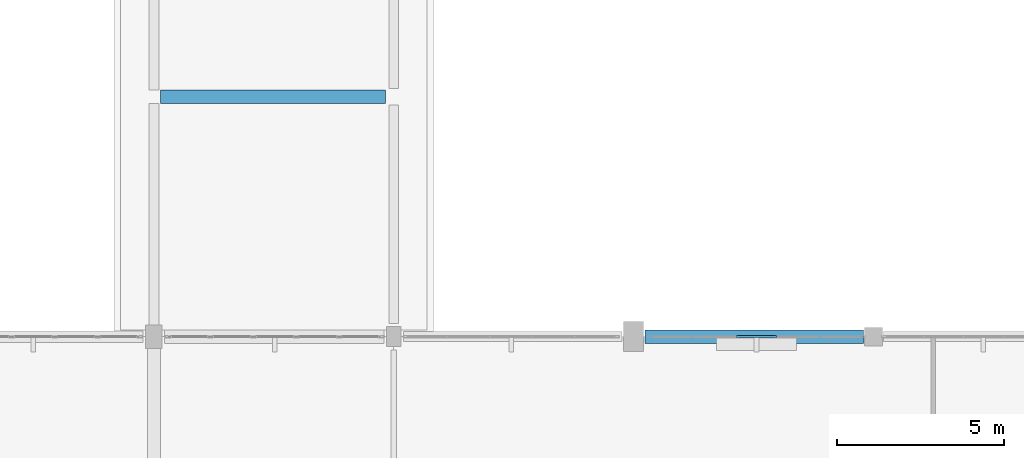
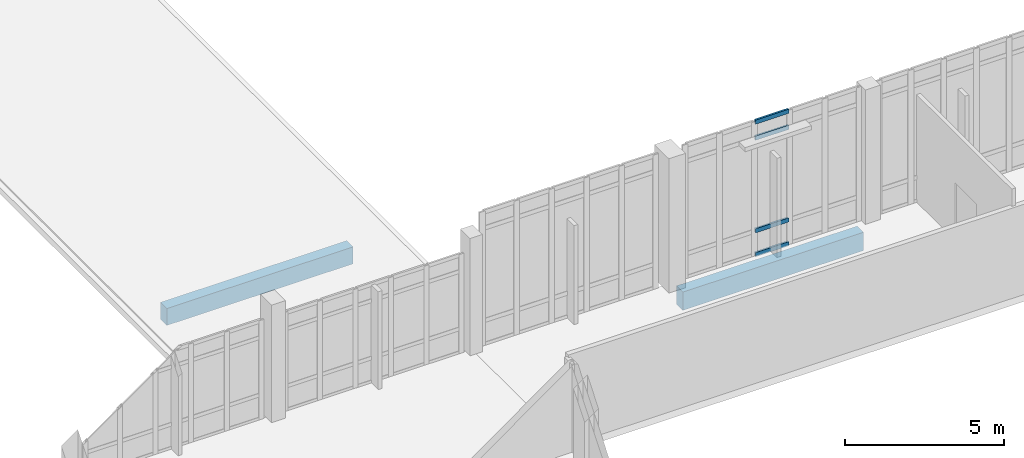
# One storey, part 43 of 134: 4 members, 2 beams, 1 element without a shape of its own.
"""IFC4 building model written with IfcOpenShell, lengths in metres."""

from ifc_helpers import new_model, si_unit, direction, frame, origin, origin_2d, place, context, subcontext, project, spatial, rectangle, hollow_rectangle, extrude, material, material_profile, profile_set, type_object, element, aggregate, save


model = new_model("IFC4")

# Units and contexts
model_context = context("Model", 3, precision=1e-05, world=origin(), true_north=direction((0.0, 1.0)))
body_context = subcontext(model_context, "Body", "Model", "MODEL_VIEW")
ifc_project = project(units=[si_unit("LENGTHUNIT", "METRE"), si_unit("AREAUNIT", "SQUARE_METRE"), si_unit("VOLUMEUNIT", "CUBIC_METRE"), si_unit("PLANEANGLEUNIT", "RADIAN"), si_unit("MASSUNIT", "GRAM", prefix="KILO")], contexts=[model_context])

# Site, building, storey
site_placement = place(None, origin())
site = spatial("IfcSite", under=ifc_project, at=site_placement, CompositionType="ELEMENT")
building_placement = place(site_placement, origin())
building = spatial("IfcBuilding", under=site, at=building_placement, Name="Kalluvel Institute of Natural Sciences", CompositionType="ELEMENT")
storey_placement = place(building_placement, frame((0.0, 0.0, 5.39990234375)))
storey = spatial("IfcBuildingStorey", under=building, at=storey_placement, Name="L01", CompositionType="ELEMENT", Elevation=5.39990234375)

# Beam
ifc_material_1 = material(Name="Concrete M40", Category="concrete")
ifc_material_profile_1 = material_profile(ifc_material_1, rectangle(XDim=0.39990234375, YDim=0.64990234375, at=origin_2d()), Name="RCB 400x650")
ifc_profile_set_1 = profile_set([ifc_material_profile_1], Name="Concrete M40")
beam_type_1 = type_object("IfcBeamType", Name="BM-RC400x650", PredefinedType="BEAM", material=ifc_profile_set_1)
beam_1_placement = place(storey_placement, frame((107.800048828125, 42.800048828125, -0.56494140625), z_axis=(1.0, 0.0, 0.0), x_axis=(0.0, 1.0, 0.0)))
element("IfcBeam", 1, at=beam_1_placement, inside=storey, type_object=beam_type_1, Name="L01 girder GIR-L01-EW-X1076-Y428", PredefinedType="BEAM", context=body_context, shape_type="SweptSolid", body=[
    extrude(rectangle(XDim=0.39990234375, YDim=0.64990234375, at=origin_2d()), origin(), (0.0, 0.0, 1.0), 6.75),
])

# Curtain wall, members
ifc_material_2 = material(Name="Aluminium AW-6063 T6", Category="aluminium")
curtain_wall_type = type_object("IfcCurtainWallType", Name="CW-SPAV-45", PredefinedType="USERDEFINED", material=ifc_material_2)
curtain_wall_placement = place(storey_placement, origin())
curtain_wall = element("IfcCurtainWall", 2, at=curtain_wall_placement, inside=storey, type_object=curtain_wall_type, Name="L01 Gothic lancet curtain wall CWA-L01-X1225-Y356", ObjectType="UNITISED LANCET FACADE", PredefinedType="USERDEFINED")
ifc_material_profile_2 = material_profile(ifc_material_2, hollow_rectangle(XDim=0.070068359375, YDim=0.159912109375, WallThickness=0.0048828125, at=origin_2d()), Name="CWT 70x160")
ifc_profile_set_2 = profile_set([ifc_material_profile_2], Name="Aluminium AW-6063 T6")
member_type = type_object("IfcMemberType", Name="CWT-70x160", PredefinedType="USERDEFINED", material=ifc_profile_set_2)
member_1_placement = place(storey_placement, frame((125.0849609375, 35.60009765625, 0.03515625), z_axis=(1.0, 0.0, 0.0), x_axis=(0.0, 1.0, 0.0)))
member_1 = element("IfcMember", 3, at=member_1_placement, type_object=member_type, Name="CW-10 transom 3.1", ObjectType="TRANSOM", PredefinedType="USERDEFINED", context=body_context, shape_type="SweptSolid", body=[
    extrude(hollow_rectangle(XDim=0.070068359375, YDim=0.159912109375, WallThickness=0.0048828125, at=origin_2d()), origin(), (0.0, 0.0, 1.0), 1.205078125),
])
member_2_placement = place(storey_placement, frame((125.0849609375, 35.60009765625, 0.9501953125), z_axis=(1.0, 0.0, 0.0), x_axis=(0.0, 1.0, 0.0)))
member_2 = element("IfcMember", 4, at=member_2_placement, type_object=member_type, Name="CW-10 transom 3.2", ObjectType="TRANSOM", PredefinedType="USERDEFINED", context=body_context, shape_type="SweptSolid", body=[
    extrude(hollow_rectangle(XDim=0.070068359375, YDim=0.159912109375, WallThickness=0.0048828125, at=origin_2d()), origin(), (0.0, 0.0, 1.0), 1.205078125),
])
member_3_placement = place(storey_placement, frame((125.0849609375, 35.60009765625, 4.5), z_axis=(1.0, 0.0, 0.0), x_axis=(0.0, 1.0, 0.0)))
member_3 = element("IfcMember", 5, at=member_3_placement, type_object=member_type, Name="CW-10 transom 3.3", ObjectType="TRANSOM", PredefinedType="USERDEFINED", context=body_context, shape_type="SweptSolid", body=[
    extrude(hollow_rectangle(XDim=0.070068359375, YDim=0.159912109375, WallThickness=0.0048828125, at=origin_2d()), origin(), (0.0, 0.0, 1.0), 1.205078125),
])
member_4_placement = place(storey_placement, frame((125.0849609375, 35.60009765625, 5.114990234375), z_axis=(1.0, 0.0, 0.0), x_axis=(0.0, 1.0, 0.0)))
member_4 = element("IfcMember", 6, at=member_4_placement, type_object=member_type, Name="CW-10 transom 3.4", ObjectType="TRANSOM", PredefinedType="USERDEFINED", context=body_context, shape_type="SweptSolid", body=[
    extrude(hollow_rectangle(XDim=0.070068359375, YDim=0.159912109375, WallThickness=0.0048828125, at=origin_2d()), origin(), (0.0, 0.0, 1.0), 1.205078125),
])
aggregate(curtain_wall, [member_1, member_2, member_3, member_4])

# Beam
ifc_material_profile_3 = material_profile(ifc_material_1, rectangle(XDim=0.39990234375, YDim=0.699951171875, at=origin_2d()), Name="RCB 400x700")
ifc_profile_set_3 = profile_set([ifc_material_profile_3], Name="Concrete M40")
beam_type_2 = type_object("IfcBeamType", Name="SP-RC400x700", PredefinedType="SPANDREL", material=ifc_profile_set_3)
beam_2_placement = place(storey_placement, frame((122.35009765625, 35.60009765625, -0.68994140625), z_axis=(1.0, 0.0, 0.0), x_axis=(0.0, 1.0, 0.0)))
element("IfcBeam", 7, at=beam_2_placement, inside=storey, type_object=beam_type_2, Name="L01 girder GIR-L01-EW-X1220-Y356", PredefinedType="SPANDREL", context=body_context, shape_type="SweptSolid", body=[
    extrude(rectangle(XDim=0.39990234375, YDim=0.699951171875, at=origin_2d()), origin(), (0.0, 0.0, 1.0), 6.5498046875),
])

save(model, "model.ifc")
